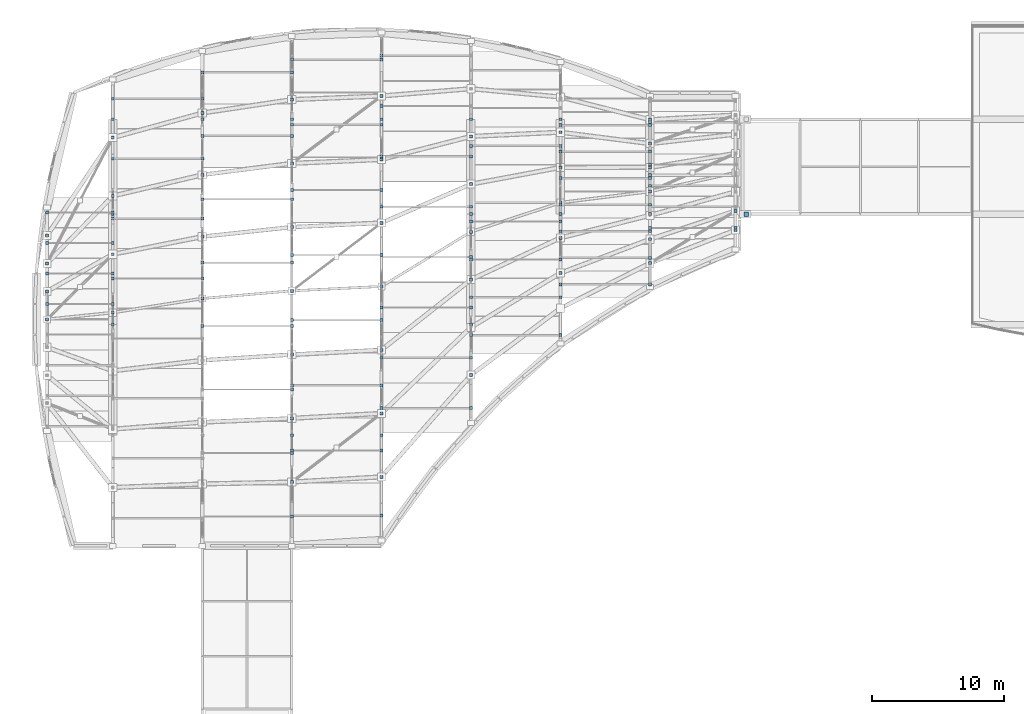
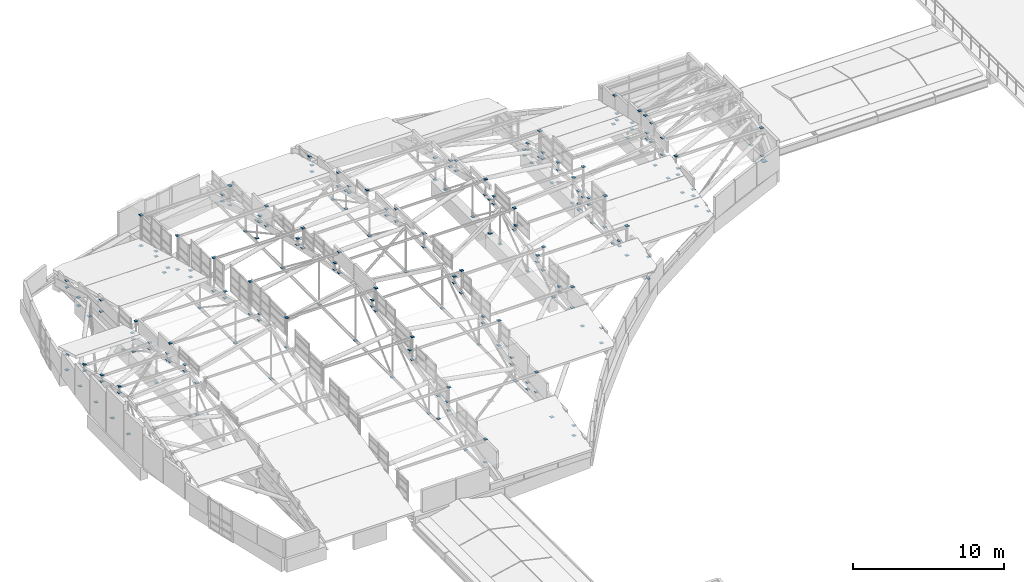
# One storey, part 179 of 188: 229 discrete accessories.
"""IFC4 building model written with IfcOpenShell, lengths in metres."""

from ifc_helpers import new_model, si_unit, direction, frame, origin, origin_2d, place, context, subcontext, project, spatial, rectangle, extrude, material, layer, layer_set, type_object, element, save


model = new_model("IFC4")

# Units and contexts
model_context = context("Model", 3, precision=1e-05, world=origin(), true_north=direction((0.0, 1.0)))
body_context = subcontext(model_context, "Body", "Model", "MODEL_VIEW")
ifc_project = project(units=[si_unit("LENGTHUNIT", "METRE"), si_unit("AREAUNIT", "SQUARE_METRE"), si_unit("VOLUMEUNIT", "CUBIC_METRE"), si_unit("PLANEANGLEUNIT", "RADIAN"), si_unit("MASSUNIT", "GRAM", prefix="KILO")], contexts=[model_context])

# Site, building, storey
site_placement = place(None, origin())
site = spatial("IfcSite", under=ifc_project, at=site_placement, CompositionType="ELEMENT")
building_placement = place(site_placement, origin())
building = spatial("IfcBuilding", under=site, at=building_placement, Name="Kisaragi Civic Commons", CompositionType="ELEMENT")
storey_placement = place(building_placement, frame((0.0, 0.0, 9.60009765625)))
storey = spatial("IfcBuildingStorey", under=building, at=storey_placement, Name="L02", CompositionType="ELEMENT", Elevation=9.60009765625)

# Discrete accessories
ifc_material = material(Name="Steel SN490 (SN490B)", Category="steel")
ifc_layer_1 = layer(ifc_material, 0.02392578125, Name="Steel SN490 (SN490B)", Category="steel")
ifc_layer_set_1 = layer_set([ifc_layer_1], Name="Steel SN490 (SN490B)")
discrete_accessory_type_1 = type_object("IfcDiscreteAccessoryType", Name="CN-01", PredefinedType="SHOE", material=ifc_layer_set_1)
for number, where, z_axis, x_axis, name in (
    (1, (1.800048828125, 96.39990234375, -0.092041015625), (0.0, 0.0, 1.0), (1.0, 0.0, 0.0), "Brace/strut steel end connection 330"),
    (2, (1.800048828125, 98.52099609375, -0.092041015625), (0.0, 0.0, 1.0), (1.0, 0.0, 0.0), "Brace/strut steel end connection 331"),
    (3, (1.800048828125, 100.641845703125, -0.092041015625), (0.0, 0.0, 1.0), (1.0, 0.0, 0.0), "Brace/strut steel end connection 332"),
    (4, (1.800048828125, 102.7626953125, -0.092041015625), (0.0, 0.0, 1.0), (1.0, 0.0, 0.0), "Brace/strut steel end connection 333"),
    (5, (6.800048828125, 111.60009765625, -0.711181640625), (0.0, 0.0, 1.0), (1.0, 0.0, 0.0), "Brace/strut steel end connection 335"),
    (6, (6.800048828125, 96.91552734375, -0.711181640625), (0.0, 0.0, 1.0), (1.0, 0.0, 0.0), "Brace/strut steel end connection 339"),
    (7, (6.800048828125, 101.344482421875, -0.711181640625), (0.0, 0.0, 1.0), (1.0, 0.0, 0.0), "Brace/strut steel end connection 340"),
    (8, (6.800048828125, 105.773193359375, -0.711181640625), (0.0, 0.0, 1.0), (1.0, 0.0, 0.0), "Brace/strut steel end connection 341"),
    (9, (6.800048828125, 110.2021484375, -0.711181640625), (0.0, 0.0, 1.0), (1.0, 0.0, 0.0), "Brace/strut steel end connection 342"),
    (10, (13.60009765625, 97.985107421875, -0.711181640625), (0.0, 0.0, 1.0), (1.0, 0.0, 0.0), "Brace/strut steel end connection 346"),
    (11, (13.60009765625, 102.681396484375, -0.711181640625), (0.0, 0.0, 1.0), (1.0, 0.0, 0.0), "Brace/strut steel end connection 347"),
    (12, (13.60009765625, 107.377685546875, -0.711181640625), (0.0, 0.0, 1.0), (1.0, 0.0, 0.0), "Brace/strut steel end connection 348"),
    (13, (13.60009765625, 112.073974609375, -0.711181640625), (0.0, 0.0, 1.0), (1.0, 0.0, 0.0), "Brace/strut steel end connection 349"),
    (14, (20.39990234375, 84.041748046875, -0.39697265625), (0.0, 0.0, 1.0), (1.0, 0.0, 0.0), "Brace/strut steel end connection 350"),
    (15, (20.39990234375, 88.883544921875, -0.39697265625), (0.0, 0.0, 1.0), (1.0, 0.0, 0.0), "Brace/strut steel end connection 351"),
    (16, (20.39990234375, 93.725341796875, -0.39697265625), (0.0, 0.0, 1.0), (1.0, 0.0, 0.0), "Brace/strut steel end connection 352"),
    (17, (20.39990234375, 98.56689453125, -0.39697265625), (0.0, 0.0, 1.0), (1.0, 0.0, 0.0), "Brace/strut steel end connection 353"),
    (18, (20.39990234375, 103.40869140625, -0.39697265625), (0.0, 0.0, 1.0), (1.0, 0.0, 0.0), "Brace/strut steel end connection 354"),
    (19, (20.39990234375, 108.25048828125, -0.39697265625), (0.0, 0.0, 1.0), (1.0, 0.0, 0.0), "Brace/strut steel end connection 355"),
    (20, (20.39990234375, 113.09228515625, -0.39697265625), (0.0, 0.0, 1.0), (1.0, 0.0, 0.0), "Brace/strut steel end connection 356"),
    (21, (27.199951171875, 84.436279296875, -0.365234375), (0.0, 0.0, 1.0), (1.0, 0.0, 0.0), "Brace/strut steel end connection 357"),
    (22, (27.199951171875, 89.258056640625, -0.365234375), (0.0, 0.0, 1.0), (1.0, 0.0, 0.0), "Brace/strut steel end connection 358"),
    (23, (27.199951171875, 94.079833984375, -0.365234375), (0.0, 0.0, 1.0), (1.0, 0.0, 0.0), "Brace/strut steel end connection 359"),
    (24, (27.199951171875, 98.901611328125, -0.365234375), (0.0, 0.0, 1.0), (1.0, 0.0, 0.0), "Brace/strut steel end connection 360"),
    (25, (27.199951171875, 103.723388671875, -0.365234375), (0.0, 0.0, 1.0), (1.0, 0.0, 0.0), "Brace/strut steel end connection 361"),
    (26, (27.199951171875, 108.544921875, -0.365234375), (0.0, 0.0, 1.0), (1.0, 0.0, 0.0), "Brace/strut steel end connection 362"),
    (27, (27.199951171875, 113.36669921875, -0.365234375), (0.0, 0.0, 1.0), (1.0, 0.0, 0.0), "Brace/strut steel end connection 363"),
    (28, (34.0, 96.0, -0.092041015625), (0.0, 0.0, 1.0), (1.0, 0.0, 0.0), "Brace/strut steel end connection 364"),
    (29, (34.0, 111.60009765625, -0.092041015625), (0.0, 0.0, 1.0), (1.0, 0.0, 0.0), "Brace/strut steel end connection 365"),
    (30, (34.0, 92.169189453125, -0.092041015625), (0.0, 0.0, 1.0), (1.0, 0.0, 0.0), "Brace/strut steel end connection 366"),
    (31, (34.0, 99.419921875, -0.092041015625), (0.0, 0.0, 1.0), (1.0, 0.0, 0.0), "Brace/strut steel end connection 367"),
    (32, (34.0, 103.045166015625, -0.092041015625), (0.0, 0.0, 1.0), (1.0, 0.0, 0.0), "Brace/strut steel end connection 368"),
    (33, (34.0, 106.67041015625, -0.092041015625), (0.0, 0.0, 1.0), (1.0, 0.0, 0.0), "Brace/strut steel end connection 369"),
    (34, (34.0, 110.29541015625, -0.092041015625), (0.0, 0.0, 1.0), (1.0, 0.0, 0.0), "Brace/strut steel end connection 370"),
    (35, (40.800048828125, 104.39990234375, -0.493896484375), (0.0, 0.0, 1.0), (1.0, 0.0, 0.0), "Brace/strut steel end connection 372"),
    (36, (40.800048828125, 111.60009765625, -0.493896484375), (0.0, 0.0, 1.0), (1.0, 0.0, 0.0), "Brace/strut steel end connection 373"),
    (37, (40.800048828125, 99.914794921875, -0.493896484375), (0.0, 0.0, 1.0), (1.0, 0.0, 0.0), "Brace/strut steel end connection 374"),
    (38, (40.800048828125, 102.589599609375, -0.493896484375), (0.0, 0.0, 1.0), (1.0, 0.0, 0.0), "Brace/strut steel end connection 375"),
    (39, (40.800048828125, 105.2646484375, -0.493896484375), (0.0, 0.0, 1.0), (1.0, 0.0, 0.0), "Brace/strut steel end connection 376"),
    (40, (40.800048828125, 107.939453125, -0.493896484375), (0.0, 0.0, 1.0), (1.0, 0.0, 0.0), "Brace/strut steel end connection 377"),
    (41, (40.800048828125, 110.614501953125, -0.493896484375), (0.0, 0.0, 1.0), (1.0, 0.0, 0.0), "Brace/strut steel end connection 378"),
    (42, (47.60009765625, 104.39990234375, -0.355224609375), (0.0, 0.0, 1.0), (1.0, 0.0, 0.0), "Brace/strut steel end connection 379"),
    (43, (47.60009765625, 111.60009765625, -0.355224609375), (0.0, 0.0, 1.0), (1.0, 0.0, 0.0), "Brace/strut steel end connection 380"),
    (44, (47.60009765625, 100.66748046875, -0.355224609375), (0.0, 0.0, 1.0), (1.0, 0.0, 0.0), "Brace/strut steel end connection 381"),
    (45, (47.60009765625, 102.4833984375, -0.355224609375), (0.0, 0.0, 1.0), (1.0, 0.0, 0.0), "Brace/strut steel end connection 382"),
    (46, (47.60009765625, 106.115478515625, -0.355224609375), (0.0, 0.0, 1.0), (1.0, 0.0, 0.0), "Brace/strut steel end connection 383"),
    (47, (47.60009765625, 107.931640625, -0.355224609375), (0.0, 0.0, 1.0), (1.0, 0.0, 0.0), "Brace/strut steel end connection 384"),
    (48, (47.60009765625, 109.747802734375, -0.355224609375), (0.0, 0.0, 1.0), (1.0, 0.0, 0.0), "Brace/strut steel end connection 385"),
    (49, (54.10009765625, 103.177978515625, -0.092041015625), (0.0, 0.0, 1.0), (1.0, 0.0, 0.0), "Brace/strut steel end connection 386"),
    (50, (54.10009765625, 104.635498046875, -0.092041015625), (0.0, 0.0, 1.0), (1.0, 0.0, 0.0), "Brace/strut steel end connection 387"),
    (51, (6.800048828125, 96.0, -0.031982421875), (0.0, 0.0, 1.0), (1.0, 0.0, 0.0), "Brace/strut steel end connection 395"),
    (52, (6.800048828125, 96.0, 2.51171875), (0.0, 0.0, 1.0), (1.0, 0.0, 0.0), "Brace/strut steel end connection 396"),
    (53, (6.800048828125, 104.39990234375, -0.031982421875), (0.0, 0.0, 1.0), (1.0, 0.0, 0.0), "Brace/strut steel end connection 397"),
    (54, (6.800048828125, 104.39990234375, 0.961669921875), (0.0, 0.0, 1.0), (1.0, 0.0, 0.0), "Brace/strut steel end connection 398"),
    (55, (6.800048828125, 111.60009765625, -0.031982421875), (0.0, 0.0, 1.0), (1.0, 0.0, 0.0), "Brace/strut steel end connection 399"),
    (56, (13.60009765625, 111.60009765625, -0.031982421875), (0.0, 0.0, 1.0), (1.0, 0.0, 0.0), "Brace/strut steel end connection 402"),
    (57, (20.39990234375, 87.60009765625, -0.031982421875), (0.0, 0.0, 1.0), (1.0, 0.0, 0.0), "Brace/strut steel end connection 403"),
    (58, (20.39990234375, 87.60009765625, 1.804443359375), (0.0, 0.0, 1.0), (1.0, 0.0, 0.0), "Brace/strut steel end connection 404"),
    (59, (20.39990234375, 111.60009765625, -0.031982421875), (0.0, 0.0, 1.0), (1.0, 0.0, 0.0), "Brace/strut steel end connection 405"),
    (60, (20.39990234375, 111.60009765625, 1.41162109375), (0.0, 0.0, 1.0), (1.0, 0.0, 0.0), "Brace/strut steel end connection 406"),
    (61, (27.199951171875, 87.60009765625, -0.031982421875), (0.0, 0.0, 1.0), (1.0, 0.0, 0.0), "Brace/strut steel end connection 407"),
    (62, (27.199951171875, 87.60009765625, 0.51318359375), (0.0, 0.0, 1.0), (1.0, 0.0, 0.0), "Brace/strut steel end connection 408"),
    (63, (27.199951171875, 111.60009765625, -0.031982421875), (0.0, 0.0, 1.0), (1.0, 0.0, 0.0), "Brace/strut steel end connection 409"),
    (64, (27.199951171875, 111.60009765625, 1.41259765625), (0.0, 0.0, 1.0), (1.0, 0.0, 0.0), "Brace/strut steel end connection 410"),
    (65, (34.0, 104.39990234375, -0.031982421875), (0.0, 0.0, 1.0), (1.0, 0.0, 0.0), "Brace/strut steel end connection 411"),
    (66, (34.0, 104.39990234375, 2.700927734375), (0.0, 0.0, 1.0), (1.0, 0.0, 0.0), "Brace/strut steel end connection 412"),
    (67, (34.0, 111.60009765625, 1.703857421875), (0.0, 0.0, 1.0), (1.0, 0.0, 0.0), "Brace/strut steel end connection 413"),
    (68, (40.800048828125, 104.39990234375, -0.031982421875), (0.0, 0.0, 1.0), (1.0, 0.0, 0.0), "Brace/strut steel end connection 414"),
    (69, (40.800048828125, 104.39990234375, 0.9990234375), (0.0, 0.0, 1.0), (1.0, 0.0, 0.0), "Brace/strut steel end connection 415"),
    (70, (40.800048828125, 111.60009765625, -0.031982421875), (0.0, 0.0, 1.0), (1.0, 0.0, 0.0), "Brace/strut steel end connection 416"),
    (71, (1.800048828125, 97.560546875, 2.531982421875), (0.0, 0.0, 1.0), (1.0, 0.0, 0.0), "Brace/strut steel end connection 432"),
    (72, (1.800048828125, 97.560546875, 3.04248046875), (0.0, 0.0, 1.0), (1.0, 0.0, 0.0), "Brace/strut steel end connection 433"),
    (73, (6.800048828125, 97.560546875, 2.51953125), (0.0, 0.0, 1.0), (1.0, 0.0, 0.0), "Brace/strut steel end connection 434"),
    (74, (6.800048828125, 97.560546875, 3.04248046875), (0.0, 0.0, 1.0), (1.0, 0.0, 0.0), "Brace/strut steel end connection 435"),
    (75, (1.800048828125, 99.88134765625, 2.04248046875), (0.0, 0.0, 1.0), (1.0, 0.0, 0.0), "Brace/strut steel end connection 436"),
    (76, (1.800048828125, 99.88134765625, 2.55615234375), (0.0, 0.0, 1.0), (1.0, 0.0, 0.0), "Brace/strut steel end connection 437"),
    (77, (6.800048828125, 99.88134765625, 2.017822265625), (0.0, 0.0, 1.0), (1.0, 0.0, 0.0), "Brace/strut steel end connection 438"),
    (78, (6.800048828125, 99.88134765625, 2.55615234375), (0.0, 0.0, 1.0), (1.0, 0.0, 0.0), "Brace/strut steel end connection 439"),
    (79, (1.800048828125, 102.202392578125, 1.48681640625), (0.0, 0.0, 1.0), (1.0, 0.0, 0.0), "Brace/strut steel end connection 440"),
    (80, (1.800048828125, 102.202392578125, 2.006591796875), (0.0, 0.0, 1.0), (1.0, 0.0, 0.0), "Brace/strut steel end connection 441"),
    (81, (6.800048828125, 102.202392578125, 1.49365234375), (0.0, 0.0, 1.0), (1.0, 0.0, 0.0), "Brace/strut steel end connection 442"),
    (82, (6.800048828125, 102.202392578125, 2.006591796875), (0.0, 0.0, 1.0), (1.0, 0.0, 0.0), "Brace/strut steel end connection 443"),
    (83, (1.800048828125, 104.523193359375, 0.152587890625), (0.0, 0.0, 1.0), (1.0, 0.0, 0.0), "Brace/strut steel end connection 444"),
    (84, (1.800048828125, 104.523193359375, 1.392333984375), (0.0, 0.0, 1.0), (1.0, 0.0, 0.0), "Brace/strut steel end connection 445"),
    (85, (6.800048828125, 104.523193359375, 1.392333984375), (0.0, 0.0, 1.0), (1.0, 0.0, 0.0), "Brace/strut steel end connection 446"),
    (86, (6.800048828125, 99.501220703125, 2.099853515625), (0.0, 0.0, 1.0), (1.0, 0.0, 0.0), "Brace/strut steel end connection 461"),
    (87, (6.800048828125, 99.501220703125, 3.587890625), (0.0, 0.0, 1.0), (1.0, 0.0, 0.0), "Brace/strut steel end connection 462"),
    (88, (13.60009765625, 99.501220703125, 3.068359375), (0.0, 0.0, 1.0), (1.0, 0.0, 0.0), "Brace/strut steel end connection 463"),
    (89, (13.60009765625, 99.501220703125, 3.587890625), (0.0, 0.0, 1.0), (1.0, 0.0, 0.0), "Brace/strut steel end connection 464"),
    (90, (6.800048828125, 104.052490234375, 2.637451171875), (0.0, 0.0, 1.0), (1.0, 0.0, 0.0), "Brace/strut steel end connection 465"),
    (91, (13.60009765625, 104.052490234375, 2.11279296875), (0.0, 0.0, 1.0), (1.0, 0.0, 0.0), "Brace/strut steel end connection 466"),
    (92, (13.60009765625, 104.052490234375, 2.637451171875), (0.0, 0.0, 1.0), (1.0, 0.0, 0.0), "Brace/strut steel end connection 467"),
    (93, (6.800048828125, 108.60400390625, 0.62939453125), (0.0, 0.0, 1.0), (1.0, 0.0, 0.0), "Brace/strut steel end connection 468"),
    (94, (6.800048828125, 108.60400390625, 1.5625), (0.0, 0.0, 1.0), (1.0, 0.0, 0.0), "Brace/strut steel end connection 469"),
    (95, (13.60009765625, 108.60400390625, 1.03271484375), (0.0, 0.0, 1.0), (1.0, 0.0, 0.0), "Brace/strut steel end connection 470"),
    (96, (13.60009765625, 108.60400390625, 1.5625), (0.0, 0.0, 1.0), (1.0, 0.0, 0.0), "Brace/strut steel end connection 471"),
    (97, (6.800048828125, 113.1552734375, -0.172119140625), (0.0, 0.0, 1.0), (1.0, 0.0, 0.0), "Brace/strut steel end connection 472"),
    (98, (6.800048828125, 113.1552734375, 0.361083984375), (0.0, 0.0, 1.0), (1.0, 0.0, 0.0), "Brace/strut steel end connection 473"),
    (99, (13.60009765625, 113.1552734375, -0.05859375), (0.0, 0.0, 1.0), (1.0, 0.0, 0.0), "Brace/strut steel end connection 474"),
    (100, (13.60009765625, 113.1552734375, 0.361083984375), (0.0, 0.0, 1.0), (1.0, 0.0, 0.0), "Brace/strut steel end connection 475"),
    (101, (20.39990234375, 81.429443359375, 0.2060546875), (0.0, 0.0, 1.0), (1.0, 0.0, 0.0), "Brace/strut steel end connection 476"),
    (102, (20.39990234375, 81.429443359375, 2.04833984375), (0.0, 0.0, 1.0), (1.0, 0.0, 0.0), "Brace/strut steel end connection 477"),
    (103, (20.39990234375, 86.248291015625, 1.465576171875), (0.0, 0.0, 1.0), (1.0, 0.0, 0.0), "Brace/strut steel end connection 480"),
    (104, (20.39990234375, 86.248291015625, 3.3203125), (0.0, 0.0, 1.0), (1.0, 0.0, 0.0), "Brace/strut steel end connection 481"),
    (105, (20.39990234375, 91.06689453125, 2.6142578125), (0.0, 0.0, 1.0), (1.0, 0.0, 0.0), "Brace/strut steel end connection 484"),
    (106, (20.39990234375, 91.06689453125, 4.458251953125), (0.0, 0.0, 1.0), (1.0, 0.0, 0.0), "Brace/strut steel end connection 485"),
    (107, (13.60009765625, 95.8857421875, 3.097412109375), (0.0, 0.0, 1.0), (1.0, 0.0, 0.0), "Brace/strut steel end connection 486"),
    (108, (13.60009765625, 95.8857421875, 5.46435546875), (0.0, 0.0, 1.0), (1.0, 0.0, 0.0), "Brace/strut steel end connection 487"),
    (109, (20.39990234375, 95.8857421875, 3.634033203125), (0.0, 0.0, 1.0), (1.0, 0.0, 0.0), "Brace/strut steel end connection 488"),
    (110, (20.39990234375, 95.8857421875, 5.46435546875), (0.0, 0.0, 1.0), (1.0, 0.0, 0.0), "Brace/strut steel end connection 489"),
    (111, (13.60009765625, 100.70458984375, 2.825927734375), (0.0, 0.0, 1.0), (1.0, 0.0, 0.0), "Brace/strut steel end connection 490"),
    (112, (13.60009765625, 100.70458984375, 5.46435546875), (0.0, 0.0, 1.0), (1.0, 0.0, 0.0), "Brace/strut steel end connection 491"),
    (113, (20.39990234375, 100.70458984375, 3.788330078125), (0.0, 0.0, 1.0), (1.0, 0.0, 0.0), "Brace/strut steel end connection 492"),
    (114, (20.39990234375, 100.70458984375, 5.46435546875), (0.0, 0.0, 1.0), (1.0, 0.0, 0.0), "Brace/strut steel end connection 493"),
    (115, (13.60009765625, 105.523193359375, 1.775146484375), (0.0, 0.0, 1.0), (1.0, 0.0, 0.0), "Brace/strut steel end connection 494"),
    (116, (13.60009765625, 105.523193359375, 4.458251953125), (0.0, 0.0, 1.0), (1.0, 0.0, 0.0), "Brace/strut steel end connection 495"),
    (117, (20.39990234375, 105.523193359375, 2.847412109375), (0.0, 0.0, 1.0), (1.0, 0.0, 0.0), "Brace/strut steel end connection 496"),
    (118, (20.39990234375, 105.523193359375, 4.458251953125), (0.0, 0.0, 1.0), (1.0, 0.0, 0.0), "Brace/strut steel end connection 497"),
    (119, (13.60009765625, 110.342041015625, 0.583740234375), (0.0, 0.0, 1.0), (1.0, 0.0, 0.0), "Brace/strut steel end connection 498"),
    (120, (13.60009765625, 110.342041015625, 3.3203125), (0.0, 0.0, 1.0), (1.0, 0.0, 0.0), "Brace/strut steel end connection 499"),
    (121, (20.39990234375, 110.342041015625, 1.72412109375), (0.0, 0.0, 1.0), (1.0, 0.0, 0.0), "Brace/strut steel end connection 500"),
    (122, (20.39990234375, 110.342041015625, 3.3203125), (0.0, 0.0, 1.0), (1.0, 0.0, 0.0), "Brace/strut steel end connection 501"),
    (123, (13.60009765625, 115.160888671875, -0.420654296875), (0.0, 0.0, 1.0), (1.0, 0.0, 0.0), "Brace/strut steel end connection 502"),
    (124, (13.60009765625, 115.160888671875, 2.04833984375), (0.0, 0.0, 1.0), (1.0, 0.0, 0.0), "Brace/strut steel end connection 503"),
    (125, (20.39990234375, 115.160888671875, 0.47021484375), (0.0, 0.0, 1.0), (1.0, 0.0, 0.0), "Brace/strut steel end connection 504"),
    (126, (20.39990234375, 115.160888671875, 2.04833984375), (0.0, 0.0, 1.0), (1.0, 0.0, 0.0), "Brace/strut steel end connection 505"),
    (127, (27.199951171875, 81.493896484375, -0.078369140625), (0.0, 0.0, 1.0), (1.0, 0.0, 0.0), "Brace/strut steel end connection 506"),
    (128, (27.199951171875, 81.493896484375, 0.730224609375), (0.0, 0.0, 1.0), (1.0, 0.0, 0.0), "Brace/strut steel end connection 507"),
    (129, (20.39990234375, 86.44189453125, 2.036376953125), (0.0, 0.0, 1.0), (1.0, 0.0, 0.0), "Brace/strut steel end connection 508"),
    (130, (27.199951171875, 86.44189453125, 0.43212890625), (0.0, 0.0, 1.0), (1.0, 0.0, 0.0), "Brace/strut steel end connection 509"),
    (131, (27.199951171875, 86.44189453125, 2.036376953125), (0.0, 0.0, 1.0), (1.0, 0.0, 0.0), "Brace/strut steel end connection 510"),
    (132, (20.39990234375, 91.3896484375, 3.204345703125), (0.0, 0.0, 1.0), (1.0, 0.0, 0.0), "Brace/strut steel end connection 511"),
    (133, (27.199951171875, 91.3896484375, 1.192626953125), (0.0, 0.0, 1.0), (1.0, 0.0, 0.0), "Brace/strut steel end connection 512"),
    (134, (27.199951171875, 91.3896484375, 3.204345703125), (0.0, 0.0, 1.0), (1.0, 0.0, 0.0), "Brace/strut steel end connection 513"),
    (135, (20.39990234375, 96.33740234375, 3.722900390625), (0.0, 0.0, 1.0), (1.0, 0.0, 0.0), "Brace/strut steel end connection 514"),
    (136, (20.39990234375, 96.33740234375, 4.237548828125), (0.0, 0.0, 1.0), (1.0, 0.0, 0.0), "Brace/strut steel end connection 515"),
    (137, (27.199951171875, 96.33740234375, 2.425537109375), (0.0, 0.0, 1.0), (1.0, 0.0, 0.0), "Brace/strut steel end connection 516"),
    (138, (27.199951171875, 96.33740234375, 4.237548828125), (0.0, 0.0, 1.0), (1.0, 0.0, 0.0), "Brace/strut steel end connection 517"),
    (139, (20.39990234375, 101.285400390625, 3.686767578125), (0.0, 0.0, 1.0), (1.0, 0.0, 0.0), "Brace/strut steel end connection 518"),
    (140, (20.39990234375, 101.285400390625, 4.237548828125), (0.0, 0.0, 1.0), (1.0, 0.0, 0.0), "Brace/strut steel end connection 519"),
    (141, (27.199951171875, 101.285400390625, 3.1240234375), (0.0, 0.0, 1.0), (1.0, 0.0, 0.0), "Brace/strut steel end connection 520"),
    (142, (27.199951171875, 101.285400390625, 4.237548828125), (0.0, 0.0, 1.0), (1.0, 0.0, 0.0), "Brace/strut steel end connection 521"),
    (143, (20.39990234375, 106.2333984375, 2.690185546875), (0.0, 0.0, 1.0), (1.0, 0.0, 0.0), "Brace/strut steel end connection 522"),
    (144, (20.39990234375, 106.2333984375, 3.204345703125), (0.0, 0.0, 1.0), (1.0, 0.0, 0.0), "Brace/strut steel end connection 523"),
    (145, (27.199951171875, 106.2333984375, 2.688720703125), (0.0, 0.0, 1.0), (1.0, 0.0, 0.0), "Brace/strut steel end connection 524"),
    (146, (27.199951171875, 106.2333984375, 3.204345703125), (0.0, 0.0, 1.0), (1.0, 0.0, 0.0), "Brace/strut steel end connection 525"),
    (147, (20.39990234375, 111.18115234375, 1.515625), (0.0, 0.0, 1.0), (1.0, 0.0, 0.0), "Brace/strut steel end connection 526"),
    (148, (20.39990234375, 111.18115234375, 2.0361328125), (0.0, 0.0, 1.0), (1.0, 0.0, 0.0), "Brace/strut steel end connection 527"),
    (149, (27.199951171875, 111.18115234375, 1.51708984375), (0.0, 0.0, 1.0), (1.0, 0.0, 0.0), "Brace/strut steel end connection 528"),
    (150, (27.199951171875, 111.18115234375, 2.0361328125), (0.0, 0.0, 1.0), (1.0, 0.0, 0.0), "Brace/strut steel end connection 529"),
    (151, (20.39990234375, 116.129150390625, 0.203125), (0.0, 0.0, 1.0), (1.0, 0.0, 0.0), "Brace/strut steel end connection 530"),
    (152, (20.39990234375, 116.129150390625, 0.730224609375), (0.0, 0.0, 1.0), (1.0, 0.0, 0.0), "Brace/strut steel end connection 531"),
    (153, (27.199951171875, 116.129150390625, 0.2060546875), (0.0, 0.0, 1.0), (1.0, 0.0, 0.0), "Brace/strut steel end connection 532"),
    (154, (27.199951171875, 116.129150390625, 0.730224609375), (0.0, 0.0, 1.0), (1.0, 0.0, 0.0), "Brace/strut steel end connection 533"),
    (155, (27.199951171875, 89.65673828125, 0.734375), (0.0, 0.0, 1.0), (1.0, 0.0, 0.0), "Brace/strut steel end connection 534"),
    (156, (27.199951171875, 89.65673828125, 1.263916015625), (0.0, 0.0, 1.0), (1.0, 0.0, 0.0), "Brace/strut steel end connection 535"),
    (157, (34.0, 89.65673828125, 0.0654296875), (0.0, 0.0, 1.0), (1.0, 0.0, 0.0), "Brace/strut steel end connection 536"),
    (158, (34.0, 89.65673828125, 1.263916015625), (0.0, 0.0, 1.0), (1.0, 0.0, 0.0), "Brace/strut steel end connection 537"),
    (159, (27.199951171875, 93.48193359375, 1.74609375), (0.0, 0.0, 1.0), (1.0, 0.0, 0.0), "Brace/strut steel end connection 538"),
    (160, (27.199951171875, 93.48193359375, 2.274169921875), (0.0, 0.0, 1.0), (1.0, 0.0, 0.0), "Brace/strut steel end connection 539"),
    (161, (34.0, 93.48193359375, 0.594970703125), (0.0, 0.0, 1.0), (1.0, 0.0, 0.0), "Brace/strut steel end connection 540"),
    (162, (34.0, 93.48193359375, 2.274169921875), (0.0, 0.0, 1.0), (1.0, 0.0, 0.0), "Brace/strut steel end connection 541"),
    (163, (27.199951171875, 97.30712890625, 2.649658203125), (0.0, 0.0, 1.0), (1.0, 0.0, 0.0), "Brace/strut steel end connection 542"),
    (164, (27.199951171875, 97.30712890625, 3.177978515625), (0.0, 0.0, 1.0), (1.0, 0.0, 0.0), "Brace/strut steel end connection 543"),
    (165, (34.0, 97.30712890625, 1.29150390625), (0.0, 0.0, 1.0), (1.0, 0.0, 0.0), "Brace/strut steel end connection 544"),
    (166, (34.0, 97.30712890625, 3.177978515625), (0.0, 0.0, 1.0), (1.0, 0.0, 0.0), "Brace/strut steel end connection 545"),
    (167, (34.0, 101.132568359375, 2.21728515625), (0.0, 0.0, 1.0), (1.0, 0.0, 0.0), "Brace/strut steel end connection 546"),
    (168, (34.0, 101.132568359375, 3.9775390625), (0.0, 0.0, 1.0), (1.0, 0.0, 0.0), "Brace/strut steel end connection 547"),
    (169, (27.199951171875, 104.957763671875, 2.97265625), (0.0, 0.0, 1.0), (1.0, 0.0, 0.0), "Brace/strut steel end connection 548"),
    (170, (27.199951171875, 104.957763671875, 3.9775390625), (0.0, 0.0, 1.0), (1.0, 0.0, 0.0), "Brace/strut steel end connection 549"),
    (171, (34.0, 104.957763671875, 2.725341796875), (0.0, 0.0, 1.0), (1.0, 0.0, 0.0), "Brace/strut steel end connection 550"),
    (172, (34.0, 104.957763671875, 3.9775390625), (0.0, 0.0, 1.0), (1.0, 0.0, 0.0), "Brace/strut steel end connection 551"),
    (173, (27.199951171875, 108.782958984375, 3.177978515625), (0.0, 0.0, 1.0), (1.0, 0.0, 0.0), "Brace/strut steel end connection 552"),
    (174, (34.0, 108.782958984375, 2.350341796875), (0.0, 0.0, 1.0), (1.0, 0.0, 0.0), "Brace/strut steel end connection 553"),
    (175, (34.0, 108.782958984375, 3.177978515625), (0.0, 0.0, 1.0), (1.0, 0.0, 0.0), "Brace/strut steel end connection 554"),
    (176, (27.199951171875, 112.608154296875, 1.1611328125), (0.0, 0.0, 1.0), (1.0, 0.0, 0.0), "Brace/strut steel end connection 555"),
    (177, (27.199951171875, 112.608154296875, 2.274169921875), (0.0, 0.0, 1.0), (1.0, 0.0, 0.0), "Brace/strut steel end connection 556"),
    (178, (27.199951171875, 116.433349609375, 1.263916015625), (0.0, 0.0, 1.0), (1.0, 0.0, 0.0), "Brace/strut steel end connection 559"),
    (179, (34.0, 95.20263671875, 0.82275390625), (0.0, 0.0, 1.0), (1.0, 0.0, 0.0), "Brace/strut steel end connection 562"),
    (180, (34.0, 95.20263671875, 1.26123046875), (0.0, 0.0, 1.0), (1.0, 0.0, 0.0), "Brace/strut steel end connection 563"),
    (181, (40.800048828125, 95.20263671875, -0.493896484375), (0.0, 0.0, 1.0), (1.0, 0.0, 0.0), "Brace/strut steel end connection 564"),
    (182, (40.800048828125, 95.20263671875, 1.26123046875), (0.0, 0.0, 1.0), (1.0, 0.0, 0.0), "Brace/strut steel end connection 565"),
    (183, (34.0, 98.077392578125, 1.490234375), (0.0, 0.0, 1.0), (1.0, 0.0, 0.0), "Brace/strut steel end connection 566"),
    (184, (34.0, 98.077392578125, 2.021240234375), (0.0, 0.0, 1.0), (1.0, 0.0, 0.0), "Brace/strut steel end connection 567"),
    (185, (40.800048828125, 98.077392578125, -0.358154296875), (0.0, 0.0, 1.0), (1.0, 0.0, 0.0), "Brace/strut steel end connection 568"),
    (186, (40.800048828125, 98.077392578125, 2.021240234375), (0.0, 0.0, 1.0), (1.0, 0.0, 0.0), "Brace/strut steel end connection 569"),
    (187, (34.0, 100.9521484375, 2.701171875), (0.0, 0.0, 1.0), (1.0, 0.0, 0.0), "Brace/strut steel end connection 570"),
    (188, (40.800048828125, 100.9521484375, 0.200927734375), (0.0, 0.0, 1.0), (1.0, 0.0, 0.0), "Brace/strut steel end connection 571"),
    (189, (40.800048828125, 100.9521484375, 2.701171875), (0.0, 0.0, 1.0), (1.0, 0.0, 0.0), "Brace/strut steel end connection 572"),
    (190, (34.0, 103.8271484375, 2.676025390625), (0.0, 0.0, 1.0), (1.0, 0.0, 0.0), "Brace/strut steel end connection 573"),
    (191, (34.0, 103.8271484375, 3.302978515625), (0.0, 0.0, 1.0), (1.0, 0.0, 0.0), "Brace/strut steel end connection 574"),
    (192, (40.800048828125, 103.8271484375, 0.876953125), (0.0, 0.0, 1.0), (1.0, 0.0, 0.0), "Brace/strut steel end connection 575"),
    (193, (40.800048828125, 103.8271484375, 3.302978515625), (0.0, 0.0, 1.0), (1.0, 0.0, 0.0), "Brace/strut steel end connection 576"),
    (194, (34.0, 109.576904296875, 2.18115234375), (0.0, 0.0, 1.0), (1.0, 0.0, 0.0), "Brace/strut steel end connection 577"),
    (195, (34.0, 109.576904296875, 2.701171875), (0.0, 0.0, 1.0), (1.0, 0.0, 0.0), "Brace/strut steel end connection 578"),
    (196, (40.800048828125, 109.576904296875, 0.614990234375), (0.0, 0.0, 1.0), (1.0, 0.0, 0.0), "Brace/strut steel end connection 579"),
    (197, (40.800048828125, 109.576904296875, 2.701171875), (0.0, 0.0, 1.0), (1.0, 0.0, 0.0), "Brace/strut steel end connection 580"),
    (198, (40.800048828125, 99.059326171875, -0.198974609375), (0.0, 0.0, 1.0), (1.0, 0.0, 0.0), "Brace/strut steel end connection 587"),
    (199, (40.800048828125, 99.059326171875, 0.226806640625), (0.0, 0.0, 1.0), (1.0, 0.0, 0.0), "Brace/strut steel end connection 588"),
    (200, (47.60009765625, 99.059326171875, 0.226806640625), (0.0, 0.0, 1.0), (1.0, 0.0, 0.0), "Brace/strut steel end connection 589"),
    (201, (47.60009765625, 101.075439453125, 0.240966796875), (0.0, 0.0, 1.0), (1.0, 0.0, 0.0), "Brace/strut steel end connection 590"),
    (202, (47.60009765625, 101.075439453125, 0.7607421875), (0.0, 0.0, 1.0), (1.0, 0.0, 0.0), "Brace/strut steel end connection 591"),
    (203, (40.800048828125, 103.091552734375, 0.720458984375), (0.0, 0.0, 1.0), (1.0, 0.0, 0.0), "Brace/strut steel end connection 592"),
    (204, (40.800048828125, 103.091552734375, 1.238525390625), (0.0, 0.0, 1.0), (1.0, 0.0, 0.0), "Brace/strut steel end connection 593"),
    (205, (47.60009765625, 103.091552734375, 0.724853515625), (0.0, 0.0, 1.0), (1.0, 0.0, 0.0), "Brace/strut steel end connection 594"),
    (206, (47.60009765625, 103.091552734375, 1.238525390625), (0.0, 0.0, 1.0), (1.0, 0.0, 0.0), "Brace/strut steel end connection 595"),
    (207, (40.800048828125, 105.107666015625, 1.66162109375), (0.0, 0.0, 1.0), (1.0, 0.0, 0.0), "Brace/strut steel end connection 596"),
    (208, (47.60009765625, 105.107666015625, 1.11865234375), (0.0, 0.0, 1.0), (1.0, 0.0, 0.0), "Brace/strut steel end connection 597"),
    (209, (47.60009765625, 105.107666015625, 2.462890625), (0.0, 0.0, 1.0), (1.0, 0.0, 0.0), "Brace/strut steel end connection 598"),
    (210, (40.800048828125, 107.123779296875, 1.049560546875), (0.0, 0.0, 1.0), (1.0, 0.0, 0.0), "Brace/strut steel end connection 599"),
    (211, (40.800048828125, 107.123779296875, 1.66162109375), (0.0, 0.0, 1.0), (1.0, 0.0, 0.0), "Brace/strut steel end connection 600"),
    (212, (47.60009765625, 107.123779296875, 1.15087890625), (0.0, 0.0, 1.0), (1.0, 0.0, 0.0), "Brace/strut steel end connection 601"),
    (213, (47.60009765625, 107.123779296875, 1.66162109375), (0.0, 0.0, 1.0), (1.0, 0.0, 0.0), "Brace/strut steel end connection 602"),
    (214, (40.800048828125, 109.1396484375, 0.71533203125), (0.0, 0.0, 1.0), (1.0, 0.0, 0.0), "Brace/strut steel end connection 603"),
    (215, (40.800048828125, 109.1396484375, 1.238525390625), (0.0, 0.0, 1.0), (1.0, 0.0, 0.0), "Brace/strut steel end connection 604"),
    (216, (47.60009765625, 109.1396484375, 0.724853515625), (0.0, 0.0, 1.0), (1.0, 0.0, 0.0), "Brace/strut steel end connection 605"),
    (217, (47.60009765625, 109.1396484375, 1.238525390625), (0.0, 0.0, 1.0), (1.0, 0.0, 0.0), "Brace/strut steel end connection 606"),
    (218, (40.800048828125, 111.156005859375, 0.233642578125), (0.0, 0.0, 1.0), (1.0, 0.0, 0.0), "Brace/strut steel end connection 607"),
    (219, (40.800048828125, 111.156005859375, 0.7607421875), (0.0, 0.0, 1.0), (1.0, 0.0, 0.0), "Brace/strut steel end connection 608"),
    (220, (47.60009765625, 111.156005859375, 0.240966796875), (0.0, 0.0, 1.0), (1.0, 0.0, 0.0), "Brace/strut steel end connection 609"),
    (221, (47.60009765625, 111.156005859375, 0.7607421875), (0.0, 0.0, 1.0), (1.0, 0.0, 0.0), "Brace/strut steel end connection 610"),
    (222, (47.60009765625, 107.357421875, 2.905029296875), (0.0, 0.0, 1.0), (1.0, 0.0, 0.0), "Brace/strut steel end connection 613"),
    (223, (47.60009765625, 103.334228515625, 2.0810546875), (0.0, 0.0, 1.0), (1.0, 0.0, 0.0), "Brace/strut steel end connection 615"),
    (224, (54.10009765625, 103.334228515625, 2.0810546875), (0.0, 0.0, 1.0), (1.0, 0.0, 0.0), "Brace/strut steel end connection 616"),
    (225, (47.60009765625, 106.552734375, 1.2626953125), (0.0, 0.0, 1.0), (1.0, 0.0, 0.0), "Brace/strut steel end connection 618"),
    (226, (47.60009765625, 106.552734375, 2.80126953125), (0.0, 0.0, 1.0), (1.0, 0.0, 0.0), "Brace/strut steel end connection 619"),
    (227, (47.60009765625, 108.161865234375, 2.80126953125), (0.0, 0.0, 1.0), (1.0, 0.0, 0.0), "Brace/strut steel end connection 622"),
    (228, (47.60009765625, 111.38037109375, 2.0810546875), (0.0, 0.0, 1.0), (1.0, 0.0, 0.0), "Brace/strut steel end connection 625"),
):
    element("IfcDiscreteAccessory", number, at=place(storey_placement, frame(where, z_axis=z_axis, x_axis=x_axis)), inside=storey, type_object=discrete_accessory_type_1, Name=name, PredefinedType="SHOE", context=body_context, shape_type="SweptSolid", body=[
        extrude(rectangle(XDim=0.219970703125, YDim=0.219970703125, at=origin_2d()), origin(), (0.0, 0.0, 1.0), 0.02392578125),
    ])
ifc_layer_2 = layer(ifc_material, 0.06494140625, Name="Steel SN490 (SN490B)", Category="steel")
ifc_layer_set_2 = layer_set([ifc_layer_2], Name="Steel SN490 (SN490B)")
discrete_accessory_type_2 = type_object("IfcDiscreteAccessoryType", Name="SB-01", PredefinedType="USERDEFINED", material=ifc_layer_set_2)
discrete_accessory_placement = place(storey_placement, frame((54.909912109375, 104.39990234375, -1.55517578125), z_axis=(0.0, 0.0, 1.0), x_axis=(1.0, 0.0, 0.0)))
element("IfcDiscreteAccessory", 229, at=discrete_accessory_placement, inside=storey, type_object=discrete_accessory_type_2, Name="PTFE sliding bearing SB-01 5", ObjectType="SLIDING BEARING", PredefinedType="USERDEFINED", context=body_context, shape_type="SweptSolid", body=[
    extrude(rectangle(XDim=0.340087890625, YDim=0.340087890625, at=origin_2d()), origin(), (0.0, 0.0, 1.0), 0.06494140625),
])

save(model, "model.ifc")
